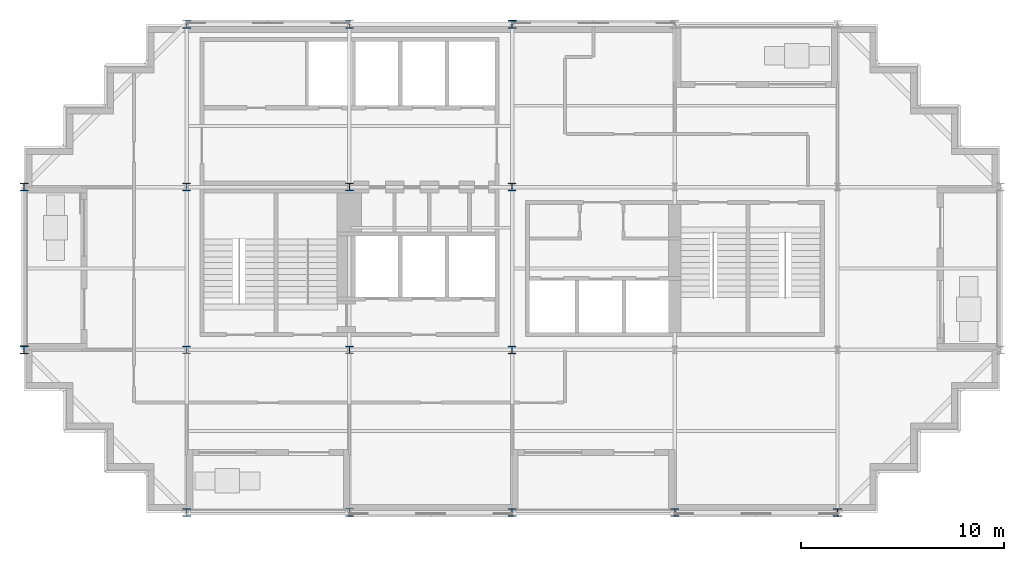
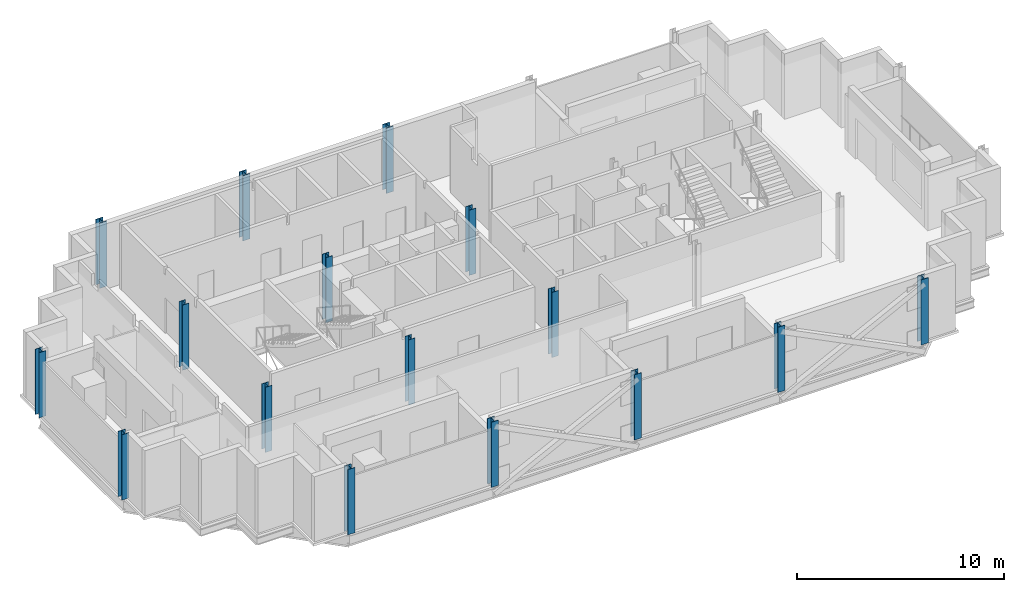
# One storey, part 1 of 9: 16 columns.
"""IFC4 building model written with IfcOpenShell, lengths in metres."""

import ifcopenshell
import ifcopenshell.guid

model = None  # the IFC model being written
_history = None  # IfcOwnerHistory: only IFC2X3 demands one
_inside = {}  # id of a spatial element -> (the spatial element, [elements in it])
_under = {}  # id of a project, library or spatial element -> (it, [spatial elements below it])
_declared = {}  # id of a project -> (the project, [libraries it declares])
_typed = {}  # id of a type object -> (the type object, [elements of that type])
_made_of = {}  # id of a material, layer set ... -> (it, [elements and type objects made of it])


def new_model(schema):
    """Start an empty IFC model of exactly this schema.

    Asked for "IFC4X3", IfcOpenShell would pick the latest addendum, in which some entities
    have other attributes; the version numbers below select the first issue.
    IFC2X3 requires an IfcOwnerHistory on every rooted entity: one is made here for all.
    """
    global model, _history
    if schema == "IFC4X3":
        model = ifcopenshell.file(schema_version=(4, 3, 0, 0))
    else:
        model = ifcopenshell.file(schema=schema)
    _inside.clear()
    _under.clear()
    _declared.clear()
    _typed.clear()
    _made_of.clear()
    _history = None
    if model.schema == "IFC2X3":
        org = make("IfcOrganization", Name="unknown")
        user = make(
            "IfcPersonAndOrganization",
            ThePerson=make("IfcPerson", FamilyName="unknown"),
            TheOrganization=org,
        )
        app = make(
            "IfcApplication",
            ApplicationDeveloper=org,
            Version="unknown",
            ApplicationFullName="unknown",
            ApplicationIdentifier="unknown",
        )
        _history = make(
            "IfcOwnerHistory",
            OwningUser=user,
            OwningApplication=app,
            ChangeAction="ADDED",
            CreationDate=0,
        )
    return model


def make(cls, **values):
    """One entity of the class cls with the attributes given. An attribute that is None is left unset."""
    return model.create_entity(
        cls, **{name: value for name, value in values.items() if value is not None}
    )


def rooted(cls, **values):
    """An entity with a GlobalId (a new one), such as an element, a storey or a relation."""
    return make(cls, GlobalId=ifcopenshell.guid.new(), OwnerHistory=_history, **values)


def si_unit(unit_type, name, prefix=None):
    """IfcSIUnit, for example si_unit("LENGTHUNIT", "METRE", prefix="MILLI")."""
    return make("IfcSIUnit", UnitType=unit_type, Prefix=prefix, Name=name)


def assignment(units):
    """IfcUnitAssignment: the units of a project."""
    return None if units is None else make("IfcUnitAssignment", Units=units)


def point(xyz):
    """IfcCartesianPoint."""
    return None if xyz is None else make("IfcCartesianPoint", Coordinates=xyz)


def direction(xyz):
    """IfcDirection."""
    return None if xyz is None else make("IfcDirection", DirectionRatios=xyz)


def frame(location, z_axis=None, x_axis=None):
    """IfcAxis2Placement3D, a coordinate frame: its origin and axes. An axis left out is left unset."""
    return make(
        "IfcAxis2Placement3D",
        Location=point(location),
        Axis=direction(z_axis),
        RefDirection=direction(x_axis),
    )


def frame_2d(location, x_axis=None):
    """IfcAxis2Placement2D, a coordinate frame in the plane: its origin and x axis."""
    return make(
        "IfcAxis2Placement2D", Location=point(location), RefDirection=direction(x_axis)
    )


def origin():
    """The frame at (0, 0, 0) with its axes left unset."""
    return frame((0.0, 0.0, 0.0))


def origin_2d():
    """The frame at (0, 0) in the plane with its x axis left unset."""
    return frame_2d((0.0, 0.0))


def place(relative_to, where):
    """IfcLocalPlacement: puts the frame where relative to a parent placement (None: the world)."""
    return make(
        "IfcLocalPlacement", PlacementRelTo=relative_to, RelativePlacement=where
    )


def context(
    kind, dimensions, precision=None, world=None, true_north=None, identifier=None
):
    """IfcGeometricRepresentationContext, for example the 3D "Model" context."""
    return make(
        "IfcGeometricRepresentationContext",
        ContextIdentifier=identifier,
        ContextType=kind,
        CoordinateSpaceDimension=dimensions,
        Precision=precision,
        WorldCoordinateSystem=world,
        TrueNorth=true_north,
    )


def subcontext(parent, identifier, kind, view, scale=None):
    """IfcGeometricRepresentationSubContext, for example "Body" below "Model"."""
    return make(
        "IfcGeometricRepresentationSubContext",
        ContextIdentifier=identifier,
        ContextType=kind,
        ParentContext=parent,
        TargetScale=scale,
        TargetView=view,
    )


def project(units=None, contexts=None):
    """IfcProject with its units and contexts."""
    return rooted(
        "IfcProject",
        Name="project",
        RepresentationContexts=contexts,
        UnitsInContext=assignment(units),
    )


def spatial(cls, under=None, at=None, **own):
    """A site, building, storey or space (cls), placed at a placement, below another one or the project."""
    s = rooted(cls, ObjectPlacement=at, **own)
    if under is not None:
        _under.setdefault(under.id(), (under, []))[1].append(s)
    return s


def profile(cls, at=None, kind="AREA", **sizes):
    """A parametric profile (cls). Its sizes go by their IFC names, for example OverallWidth=200.0."""
    return make(cls, ProfileType=kind, Position=at, **sizes)


def i_section(**sizes):
    """IfcIShapeProfileDef."""
    return profile("IfcIShapeProfileDef", **sizes)


def extrude(swept, where, along, depth):
    """IfcExtrudedAreaSolid: the profile swept, set in the frame where, extruded along a direction by depth."""
    return make(
        "IfcExtrudedAreaSolid",
        SweptArea=swept,
        Position=where,
        ExtrudedDirection=direction(along),
        Depth=depth,
    )


def shape(context_of_items, identifier, shape_type, items):
    """IfcShapeRepresentation: the items that make up one representation, for example the "Body"."""
    return make(
        "IfcShapeRepresentation",
        ContextOfItems=context_of_items,
        RepresentationIdentifier=identifier,
        RepresentationType=shape_type,
        Items=items,
    )


def material(Name=None, Category=None):
    """IfcMaterial."""
    return make("IfcMaterial", Name=Name, Category=Category)


def material_profile(
    of_material, cross_section, Name=None, Category=None, Priority=None
):
    """IfcMaterialProfile: a cross section and its material."""
    return make(
        "IfcMaterialProfile",
        Name=Name,
        Material=of_material,
        Profile=cross_section,
        Priority=Priority,
        Category=Category,
    )


def profile_set(profiles, Name=None, composite=None):
    """IfcMaterialProfileSet."""
    return make(
        "IfcMaterialProfileSet",
        Name=Name,
        MaterialProfiles=profiles,
        CompositeProfile=composite,
    )


def made_of(thing, what):
    """Note that an element or type object is made of a material, layer set ...; save() writes the relation."""
    if what is not None:
        _made_of.setdefault(what.id(), (what, []))[1].append(thing)
    return thing


def type_object(cls, material=None, **own):
    """A type object (cls), such as IfcWallType, which elements share."""
    return made_of(rooted(cls, **own), material)


def element(
    cls,
    number,
    at=None,
    inside=None,
    cuts=None,
    type_object=None,
    material=None,
    context=None,
    identifier="Body",
    shape_type=None,
    held_by="IfcProductDefinitionShape",
    body=None,
    shapes=None,
    **own,
):
    """One element of the class cls, such as IfcWall. Its Tag is "e" and its number.

    at: its placement. inside: the storey or other place that contains it. cuts: it is an
    opening in that element (IfcRelVoidsElement). A single representation is given by context,
    identifier, shape_type and body (its items); several are given by shapes. held_by: the class
    of the entity that holds the representations. save() writes the other relations.
    """
    e = rooted(cls, Tag="e%d" % number, ObjectPlacement=at, **own)
    if body is not None:
        shapes = [shape(context, identifier, shape_type, body)]
    if shapes is not None:
        e.Representation = make(held_by, Representations=shapes)
    if inside is not None:
        _inside.setdefault(inside.id(), (inside, []))[1].append(e)
    if cuts is not None:
        rooted(
            "IfcRelVoidsElement", RelatingBuildingElement=cuts, RelatedOpeningElement=e
        )
    if type_object is not None:
        _typed.setdefault(type_object.id(), (type_object, []))[1].append(e)
    return made_of(e, material)


def aggregate(whole, parts):
    """IfcRelAggregates: a whole, such as a stair, and the parts it consists of."""
    return rooted("IfcRelAggregates", RelatingObject=whole, RelatedObjects=parts)


def save(model, path):
    """Write the relations noted so far, then the file.

    IfcRelAggregates (storeys below a building ...), IfcRelContainedInSpatialStructure (elements
    in a storey), IfcRelDefinesByType, IfcRelAssociatesMaterial and IfcRelDeclares: one each for
    every whole, place, type object, material and project.
    """
    for whole, parts in _under.values():
        aggregate(whole, parts)
    for where, things in _inside.values():
        rooted(
            "IfcRelContainedInSpatialStructure",
            RelatedElements=things,
            RelatingStructure=where,
        )
    for kind, things in _typed.values():
        rooted("IfcRelDefinesByType", RelatedObjects=things, RelatingType=kind)
    for what, things in _made_of.values():
        rooted("IfcRelAssociatesMaterial", RelatedObjects=things, RelatingMaterial=what)
    for by, libraries in _declared.values():
        rooted("IfcRelDeclares", RelatingContext=by, RelatedDefinitions=libraries)
    model.write(path)


model = new_model("IFC4")

# Units and contexts
model_context = context("Model", 3, precision=1e-05, world=origin(), true_north=direction((0.0, 1.0)))
body_context = subcontext(model_context, "Body", "Model", "MODEL_VIEW")
ifc_project = project(units=[si_unit("LENGTHUNIT", "METRE"), si_unit("AREAUNIT", "SQUARE_METRE"), si_unit("VOLUMEUNIT", "CUBIC_METRE"), si_unit("PLANEANGLEUNIT", "RADIAN"), si_unit("MASSUNIT", "GRAM", prefix="KILO")], contexts=[model_context])

# Site, building, storey
site_placement = place(None, origin())
site = spatial("IfcSite", under=ifc_project, at=site_placement, CompositionType="ELEMENT")
building_placement = place(site_placement, origin())
building = spatial("IfcBuilding", under=site, at=building_placement, Name="Immortelle Media Tower", CompositionType="ELEMENT")
storey_placement = place(building_placement, frame((0.0, 0.0, 271.0)))
storey = spatial("IfcBuildingStorey", under=building, at=storey_placement, Name="L59", CompositionType="ELEMENT", Elevation=271.0)

# Columns
ifc_material = material(Name="Steel ASTM A992 Gr 50", Category="steel")
ifc_material_profile_1 = material_profile(ifc_material, i_section(OverallWidth=0.373046875, OverallDepth=0.367919921875, WebThickness=0.014892578125, FlangeThickness=0.02392578125, at=origin_2d()), Name="W14x120")
ifc_profile_set_1 = profile_set([ifc_material_profile_1], Name="Steel ASTM A992 Gr 50")
column_type_1 = type_object("IfcColumnType", Name="W14x120 column", PredefinedType="COLUMN", material=ifc_profile_set_1)
for number, where, z_axis, x_axis, name in (
    (1, (24.0, 8.0, 0.0), (0.0, 0.0, 1.0), (1.0, 0.0, 0.0), "Column 4/B"),
    (2, (24.0, 16.0, 0.0), (0.0, 0.0, 1.0), (1.0, 0.0, 0.0), "Column 4/C"),
):
    element("IfcColumn", number, at=place(storey_placement, frame(where, z_axis=z_axis, x_axis=x_axis)), inside=storey, type_object=column_type_1, Name=name, PredefinedType="COLUMN", context=body_context, shape_type="SweptSolid", body=[
        extrude(i_section(OverallWidth=0.373046875, OverallDepth=0.367919921875, WebThickness=0.014892578125, FlangeThickness=0.02392578125, at=origin_2d()), origin(), (0.0, 0.0, 1.0), 3.85009765625),
    ])
ifc_material_profile_2 = material_profile(ifc_material, i_section(OverallWidth=0.39404296875, OverallDepth=0.3759765625, WebThickness=0.01708984375, FlangeThickness=0.028076171875, at=origin_2d()), Name="W14x145")
ifc_profile_set_2 = profile_set([ifc_material_profile_2], Name="Steel ASTM A992 Gr 50")
column_type_2 = type_object("IfcColumnType", Name="W14x145 column", PredefinedType="COLUMN", material=ifc_profile_set_2)
for number, where, z_axis, x_axis, name in (
    (3, (0.0, 8.0, 0.0), (0.0, 0.0, 1.0), (1.0, 0.0, 0.0), "Column 1/B"),
    (4, (0.0, 16.0, 0.0), (0.0, 0.0, 1.0), (1.0, 0.0, 0.0), "Column 1/C"),
    (5, (8.0, 0.0, 0.0), (0.0, 0.0, 1.0), (1.0, 0.0, 0.0), "Column 2/A"),
):
    element("IfcColumn", number, at=place(storey_placement, frame(where, z_axis=z_axis, x_axis=x_axis)), inside=storey, type_object=column_type_2, Name=name, PredefinedType="COLUMN", context=body_context, shape_type="SweptSolid", body=[
        extrude(i_section(OverallWidth=0.39404296875, OverallDepth=0.3759765625, WebThickness=0.01708984375, FlangeThickness=0.028076171875, at=origin_2d()), origin(), (0.0, 0.0, 1.0), 3.85009765625),
    ])
ifc_material_profile_3 = material_profile(ifc_material, i_section(OverallWidth=0.39892578125, OverallDepth=0.385986328125, WebThickness=0.02099609375, FlangeThickness=0.032958984375, at=origin_2d()), Name="W14x176")
ifc_profile_set_3 = profile_set([ifc_material_profile_3], Name="Steel ASTM A992 Gr 50")
column_type_3 = type_object("IfcColumnType", Name="W14x176 column", PredefinedType="COLUMN", material=ifc_profile_set_3)
for number, where, z_axis, x_axis, name in (
    (6, (24.0, 0.0, 0.0), (0.0, 0.0, 1.0), (1.0, 0.0, 0.0), "Column 4/A"),
    (7, (24.0, 24.0, 0.0), (0.0, 0.0, 1.0), (1.0, 0.0, 0.0), "Column 4/D"),
    (8, (32.0, 0.0, 0.0), (0.0, 0.0, 1.0), (1.0, 0.0, 0.0), "Column 5/A"),
    (9, (40.0, 0.0, 0.0), (0.0, 0.0, 1.0), (1.0, 0.0, 0.0), "Column 6/A"),
):
    element("IfcColumn", number, at=place(storey_placement, frame(where, z_axis=z_axis, x_axis=x_axis)), inside=storey, type_object=column_type_3, Name=name, PredefinedType="COLUMN", context=body_context, shape_type="SweptSolid", body=[
        extrude(i_section(OverallWidth=0.39892578125, OverallDepth=0.385986328125, WebThickness=0.02099609375, FlangeThickness=0.032958984375, at=origin_2d()), origin(), (0.0, 0.0, 1.0), 3.85009765625),
    ])
ifc_material_profile_4 = material_profile(ifc_material, i_section(OverallWidth=0.40087890625, OverallDepth=0.39892578125, WebThickness=0.02490234375, FlangeThickness=0.0400390625, at=origin_2d()), Name="W14x211")
ifc_profile_set_4 = profile_set([ifc_material_profile_4], Name="Steel ASTM A992 Gr 50")
column_type_4 = type_object("IfcColumnType", Name="W14x211 column", PredefinedType="COLUMN", material=ifc_profile_set_4)
for number, where, z_axis, x_axis, name in (
    (10, (8.0, 24.0, 0.0), (0.0, 0.0, 1.0), (1.0, 0.0, 0.0), "Column 2/D"),
    (11, (16.0, 0.0, 0.0), (0.0, 0.0, 1.0), (1.0, 0.0, 0.0), "Column 3/A"),
    (12, (16.0, 24.0, 0.0), (0.0, 0.0, 1.0), (1.0, 0.0, 0.0), "Column 3/D"),
):
    element("IfcColumn", number, at=place(storey_placement, frame(where, z_axis=z_axis, x_axis=x_axis)), inside=storey, type_object=column_type_4, Name=name, PredefinedType="COLUMN", context=body_context, shape_type="SweptSolid", body=[
        extrude(i_section(OverallWidth=0.40087890625, OverallDepth=0.39892578125, WebThickness=0.02490234375, FlangeThickness=0.0400390625, at=origin_2d()), origin(), (0.0, 0.0, 1.0), 3.85009765625),
    ])
ifc_material_profile_5 = material_profile(ifc_material, i_section(OverallWidth=0.37109375, OverallDepth=0.361083984375, WebThickness=0.011962890625, FlangeThickness=0.02001953125, at=origin_2d()), Name="W14x99")
ifc_profile_set_5 = profile_set([ifc_material_profile_5], Name="Steel ASTM A992 Gr 50")
column_type_5 = type_object("IfcColumnType", Name="W14x99 column", PredefinedType="COLUMN", material=ifc_profile_set_5)
for number, where, z_axis, x_axis, name in (
    (13, (8.0, 8.0, 0.0), (0.0, 0.0, 1.0), (1.0, 0.0, 0.0), "Column 2/B"),
    (14, (8.0, 16.0, 0.0), (0.0, 0.0, 1.0), (1.0, 0.0, 0.0), "Column 2/C"),
    (15, (16.0, 8.0, 0.0), (0.0, 0.0, 1.0), (1.0, 0.0, 0.0), "Column 3/B"),
    (16, (16.0, 16.0, 0.0), (0.0, 0.0, 1.0), (1.0, 0.0, 0.0), "Column 3/C"),
):
    element("IfcColumn", number, at=place(storey_placement, frame(where, z_axis=z_axis, x_axis=x_axis)), inside=storey, type_object=column_type_5, Name=name, PredefinedType="COLUMN", context=body_context, shape_type="SweptSolid", body=[
        extrude(i_section(OverallWidth=0.37109375, OverallDepth=0.361083984375, WebThickness=0.011962890625, FlangeThickness=0.02001953125, at=origin_2d()), origin(), (0.0, 0.0, 1.0), 3.85009765625),
    ])

save(model, "model.ifc")
